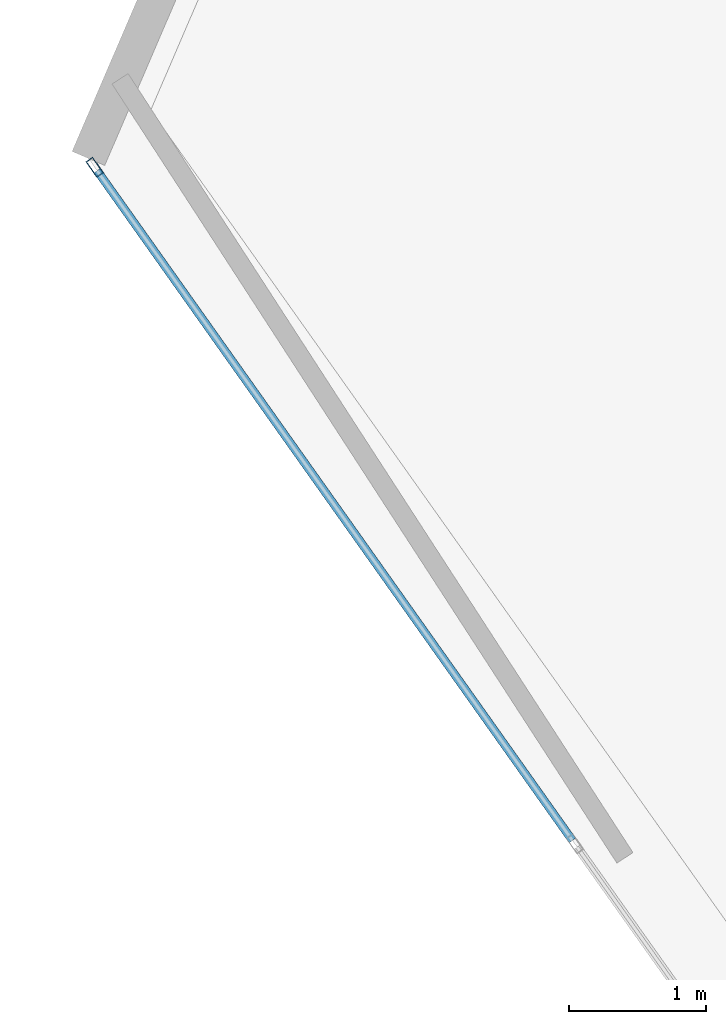
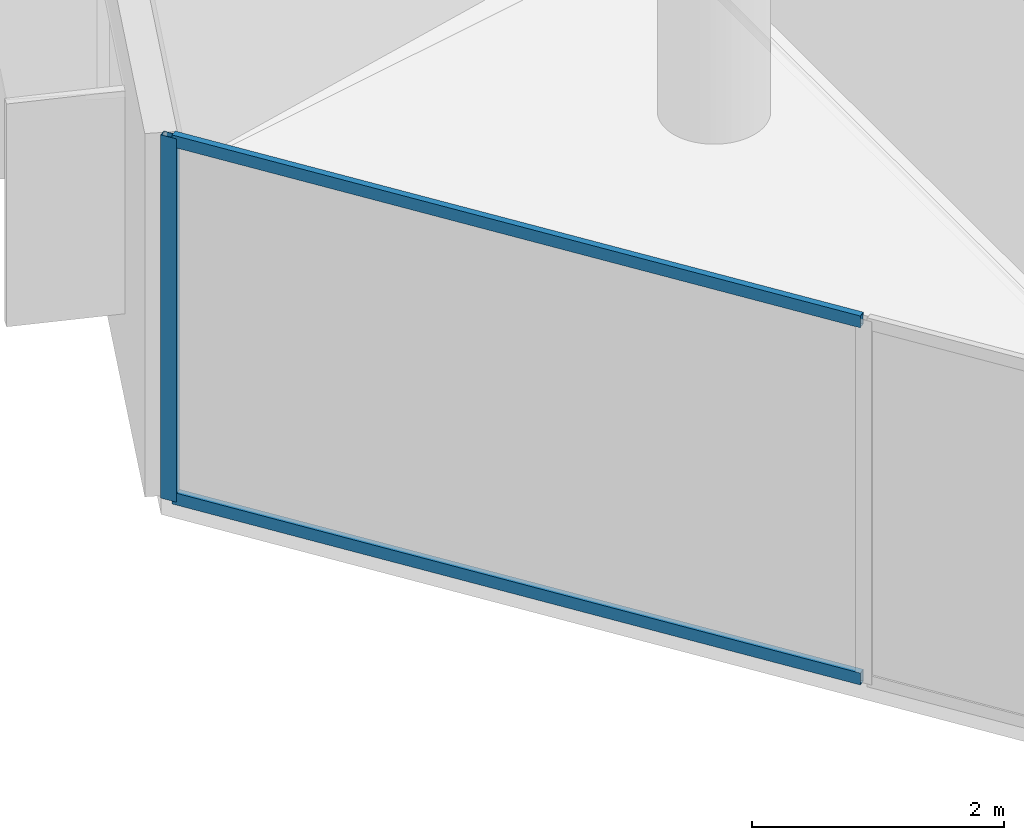
# One storey, part 7 of 22: 3 members, 1 element without a shape of its own.
"""IFC4 building model written with IfcOpenShell, lengths in metres."""

from ifc_helpers import new_model, si_unit, direction, frame, origin, origin_2d, place, context, subcontext, project, spatial, hollow_rectangle, extrude, material, layer, layer_set, material_profile, profile_set, type_object, element, aggregate, save


model = new_model("IFC4")

# Units and contexts
model_context = context("Model", 3, precision=1e-05, world=origin(), true_north=direction((0.0, 1.0)))
body_context = subcontext(model_context, "Body", "Model", "MODEL_VIEW")
ifc_project = project(units=[si_unit("LENGTHUNIT", "METRE"), si_unit("AREAUNIT", "SQUARE_METRE"), si_unit("VOLUMEUNIT", "CUBIC_METRE"), si_unit("PLANEANGLEUNIT", "RADIAN"), si_unit("MASSUNIT", "GRAM", prefix="KILO")], contexts=[model_context])

# Site, building, storey
site_placement = place(None, origin())
site = spatial("IfcSite", under=ifc_project, at=site_placement, CompositionType="ELEMENT")
building_placement = place(site_placement, origin())
building = spatial("IfcBuilding", under=site, at=building_placement, Name="Qianvela Tower", CompositionType="ELEMENT")
storey_placement = place(building_placement, frame((0.0, 0.0, 299.10009765625)))
storey = spatial("IfcBuildingStorey", under=building, at=storey_placement, Name="L77", CompositionType="ELEMENT", Elevation=299.10009765625)

# Curtain wall, members
ifc_material_1 = material(Name="Anodised Architectural Aluminium and Low-E Glass", Category="aluminium")
ifc_layer = layer(ifc_material_1, 0.14990234375)
ifc_layer_set = layer_set([ifc_layer], Name="Anodised Architectural Aluminium and Low-E Glass")
curtain_wall_type = type_object("IfcCurtainWallType", Name="CW-COLIV-Z78", PredefinedType="USERDEFINED", material=ifc_layer_set)
curtain_wall_placement = place(storey_placement, origin())
curtain_wall = element("IfcCurtainWall", 1, at=curtain_wall_placement, inside=storey, type_object=curtain_wall_type, Name="L77 CW-COLIV-Z78 Curtain Wall 04A", ObjectType="CURTAIN_WALL_SYSTEM", PredefinedType="USERDEFINED")
ifc_material_2 = material(Name="Anodised Architectural Aluminium 6063-T6", Category="aluminium")
ifc_material_profile_1 = material_profile(ifc_material_2, hollow_rectangle(XDim=0.06005859375, YDim=0.139892578125, WallThickness=0.00439453125, at=origin_2d()), Name="ALU-MULL-60x140")
ifc_profile_set_1 = profile_set([ifc_material_profile_1], Name="Anodised Architectural Aluminium 6063-T6")
member_type_1 = type_object("IfcMemberType", Name="CW-COLIV-Z78-MULL", PredefinedType="MULLION", material=ifc_profile_set_1)
member_1_placement = place(storey_placement, frame((18.188232421875, 29.214111328125, 0.0), z_axis=(0.0, 0.0, 1.0), x_axis=(0.815531728459, 0.578712363681, 0.0)))
member_1 = element("IfcMember", 2, at=member_1_placement, type_object=member_type_1, Name="CW-6 mullion 1", PredefinedType="MULLION", context=body_context, shape_type="SweptSolid", body=[
    extrude(hollow_rectangle(XDim=0.06005859375, YDim=0.139892578125, WallThickness=0.00439453125, at=origin_2d()), origin(), (0.0, 0.0, 1.0), 3.52001953125),
])
ifc_material_3 = material(Name="Anodised Architectural Aluminium 6063-T6", Category="aluminium")
ifc_material_profile_2 = material_profile(ifc_material_3, hollow_rectangle(XDim=0.06005859375, YDim=0.114990234375, WallThickness=0.00390625, at=origin_2d()), Name="ALU-TRAN-60x115")
ifc_profile_set_2 = profile_set([ifc_material_profile_2], Name="Anodised Architectural Aluminium 6063-T6")
member_type_2 = type_object("IfcMemberType", Name="CW-COLIV-Z78-TRAN", PredefinedType="USERDEFINED", material=ifc_profile_set_2)
member_2_placement = place(storey_placement, frame((18.20556640625, 29.189697265625, 0.02978515625), z_axis=(0.578706916963, -0.815535593496, 0.0), x_axis=(0.815535593496, 0.578706916963, 0.0)))
member_2 = element("IfcMember", 3, at=member_2_placement, type_object=member_type_2, Name="CW-6 transom 1.1", ObjectType="TRANSOM", PredefinedType="USERDEFINED", context=body_context, shape_type="SweptSolid", body=[
    extrude(hollow_rectangle(XDim=0.06005859375, YDim=0.114990234375, WallThickness=0.00390625, at=origin_2d()), origin(), (0.0, 0.0, 1.0), 6.010009765625),
])
member_3_placement = place(storey_placement, frame((18.20556640625, 29.189697265625, 3.489990234375), z_axis=(0.578706916963, -0.815535593496, 0.0), x_axis=(0.815535593496, 0.578706916963, 0.0)))
member_3 = element("IfcMember", 4, at=member_3_placement, type_object=member_type_2, Name="CW-6 transom 1.2", ObjectType="TRANSOM", PredefinedType="USERDEFINED", context=body_context, shape_type="SweptSolid", body=[
    extrude(hollow_rectangle(XDim=0.06005859375, YDim=0.114990234375, WallThickness=0.00390625, at=origin_2d()), origin(), (0.0, 0.0, 1.0), 6.010009765625),
])
aggregate(curtain_wall, [member_1, member_2, member_3])

save(model, "model.ifc")
